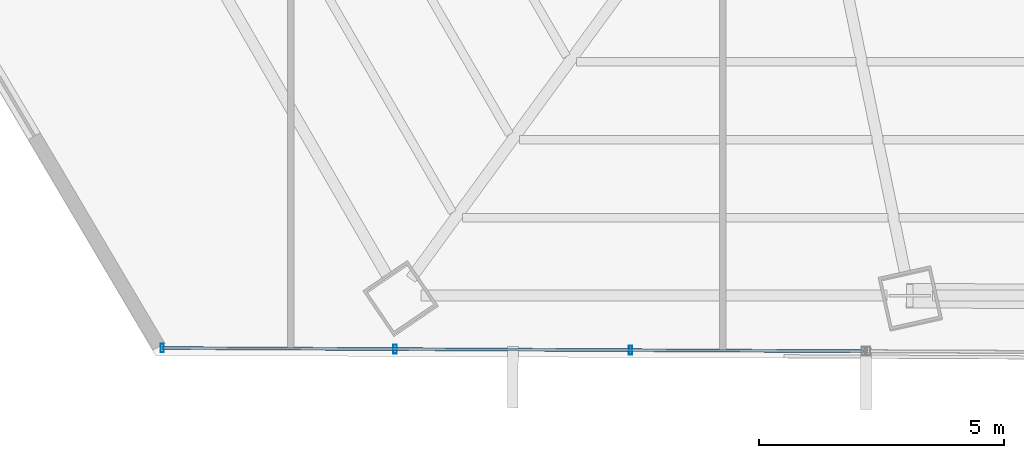
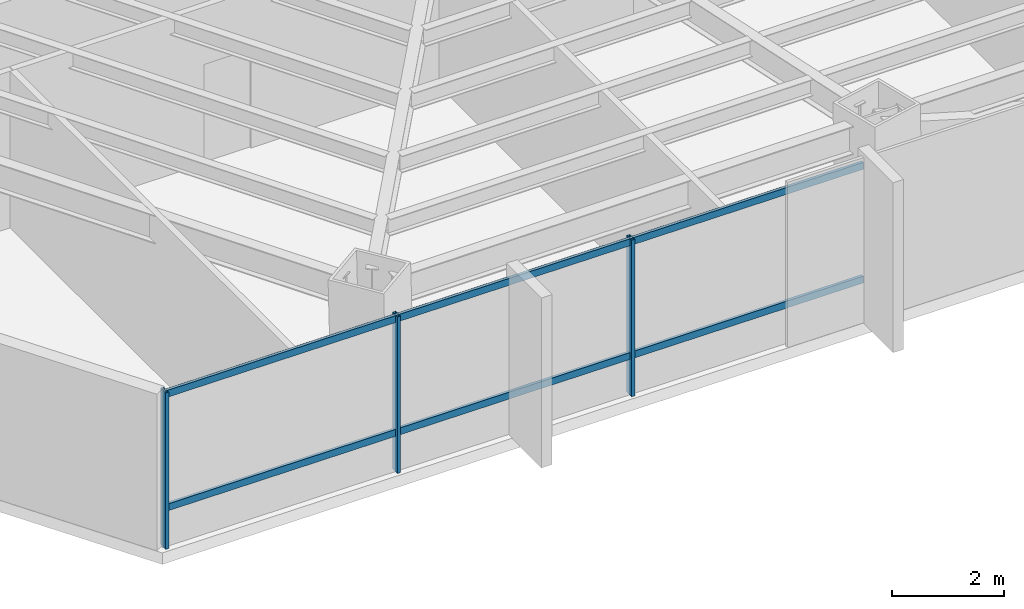
# One storey, part 4 of 35: 5 members, 1 element without a shape of its own.
"""IFC4 building model written with IfcOpenShell, lengths in metres."""

from ifc_helpers import new_model, si_unit, direction, frame, origin, origin_2d, place, context, subcontext, project, spatial, hollow_rectangle, extrude, source, transform, mapped, material, material_profile, profile_set, type_object, type_shapes, element, aggregate, save


model = new_model("IFC4")

# Units and contexts
model_context = context("Model", 3, precision=1e-05, world=origin(), true_north=direction((0.0, 1.0)))
body_context = subcontext(model_context, "Body", "Model", "MODEL_VIEW")
ifc_project = project(units=[si_unit("LENGTHUNIT", "METRE"), si_unit("AREAUNIT", "SQUARE_METRE"), si_unit("VOLUMEUNIT", "CUBIC_METRE"), si_unit("PLANEANGLEUNIT", "RADIAN"), si_unit("MASSUNIT", "GRAM", prefix="KILO")], contexts=[model_context])

# Site, building, storey
site_placement = place(None, origin())
site = spatial("IfcSite", under=ifc_project, at=site_placement, CompositionType="ELEMENT")
building_placement = place(site_placement, origin())
building = spatial("IfcBuilding", under=site, at=building_placement, Name="Caelisora Broadcast Tower", CompositionType="ELEMENT")
storey_placement = place(building_placement, frame((0.0, 0.0, 98.10009765625)))
storey = spatial("IfcBuildingStorey", under=building, at=storey_placement, Name="L25", CompositionType="ELEMENT", Elevation=98.10009765625)

# Curtain wall, members
ifc_material_1 = material(Name="Unitised Aluminium and Low-E Glass Curtain Wall", Category="glass")
curtain_wall_type = type_object("IfcCurtainWallType", Name="CW-Z2", PredefinedType="NOTDEFINED", material=ifc_material_1)
curtain_wall_placement = place(storey_placement, origin())
curtain_wall = element("IfcCurtainWall", 1, at=curtain_wall_placement, inside=storey, type_object=curtain_wall_type, Name="L25 curtain wall CW-Z2", PredefinedType="NOTDEFINED")
ifc_material_2 = material(Name="Aluminium 6063-T6 Anodised Terracotta Bronze", Category="aluminium")
ifc_material_profile_1 = material_profile(ifc_material_2, hollow_rectangle(XDim=0.06494140625, YDim=0.179931640625, WallThickness=0.00341796875, at=origin_2d()), Name="Aluminium 6063-T6 Anodised Terracotta Bronze")
ifc_profile_set_1 = profile_set([ifc_material_profile_1], Name="Aluminium 6063-T6 Anodised Terracotta Bronze")
member_type_1 = type_object("IfcMemberType", Name="CWM-02", PredefinedType="MULLION", material=ifc_profile_set_1)
shared_shape_1 = source(origin(), body_context, "Body", "SweptSolid", [
    extrude(hollow_rectangle(XDim=0.06494140625, YDim=0.179931640625, WallThickness=0.00341796875, at=origin_2d()), origin(), (0.0, 0.0, 1.0), 3.39990234375),
])
type_shapes(member_type_1, [shared_shape_1])
member_1_placement = place(storey_placement, frame((27.096435546875, 5.1552734375, 0.0), z_axis=(0.0, 0.0, 1.0), x_axis=(1.0, 0.0, 0.0)))
member_1 = element("IfcMember", 2, at=member_1_placement, type_object=member_type_1, Name="L25-CW-B07 mullion #1", PredefinedType="MULLION", context=body_context, shape_type="MappedRepresentation", body=[
    mapped(shared_shape_1, transform((0.0, 0.0, 0.0), scale=1.0)),
])
member_2_placement = place(storey_placement, frame((22.296630859375, 5.177001953125, 0.0), z_axis=(0.0, 0.0, 1.0), x_axis=(1.0, 0.0, 0.0)))
member_2 = element("IfcMember", 3, at=member_2_placement, type_object=member_type_1, Name="L25-CW-B07 mullion #2", PredefinedType="MULLION", context=body_context, shape_type="MappedRepresentation", body=[
    mapped(shared_shape_1, transform((0.0, 0.0, 0.0), scale=1.0)),
])
member_3_placement = place(storey_placement, frame((17.547119140625, 5.19873046875, 0.0), z_axis=(0.0, 0.0, 1.0), x_axis=(1.0, 0.0, 0.0)))
member_3 = element("IfcMember", 4, at=member_3_placement, type_object=member_type_1, Name="L25-CW-B07 mullion #3", PredefinedType="MULLION", context=body_context, shape_type="MappedRepresentation", body=[
    mapped(shared_shape_1, transform((0.0, 0.0, 0.0), scale=1.0)),
])
ifc_material_profile_2 = material_profile(ifc_material_2, hollow_rectangle(XDim=0.06005859375, YDim=0.14990234375, WallThickness=0.00341796875, at=origin_2d()), Name="Aluminium 6063-T6 Anodised Terracotta Bronze")
ifc_profile_set_2 = profile_set([ifc_material_profile_2], Name="Aluminium 6063-T6 Anodised Terracotta Bronze")
member_type_2 = type_object("IfcMemberType", Name="CWT-02", PredefinedType="USERDEFINED", material=ifc_profile_set_2)
shared_shape_2 = source(origin(), body_context, "Body", "SweptSolid", [
    extrude(hollow_rectangle(XDim=0.06005859375, YDim=0.14990234375, WallThickness=0.00341796875, at=origin_2d()), origin(), (0.0, 0.0, 1.0), 14.29931640625),
])
type_shapes(member_type_2, [shared_shape_2])
member_4_placement = place(storey_placement, frame((31.84619140625, 5.133544921875, 0.849853515625), z_axis=(-0.999989609172, 0.004558678237, 0.0), x_axis=(-0.004558678237, -0.999989609172, 0.0)))
member_4 = element("IfcMember", 5, at=member_4_placement, type_object=member_type_2, Name="L25-CW-B07 transom #1", ObjectType="TRANSOM", PredefinedType="USERDEFINED", context=body_context, shape_type="MappedRepresentation", body=[
    mapped(shared_shape_2, transform((0.0, 0.0, 0.0), scale=1.0)),
])
member_5_placement = place(storey_placement, frame((31.84619140625, 5.133544921875, 3.31982421875), z_axis=(-0.999989609172, 0.004558678237, 0.0), x_axis=(-0.004558678237, -0.999989609172, 0.0)))
member_5 = element("IfcMember", 6, at=member_5_placement, type_object=member_type_2, Name="L25-CW-B07 transom #2", ObjectType="TRANSOM", PredefinedType="USERDEFINED", context=body_context, shape_type="MappedRepresentation", body=[
    mapped(shared_shape_2, transform((0.0, 0.0, 0.0), scale=1.0)),
])
aggregate(curtain_wall, [member_1, member_2, member_3, member_4, member_5])

save(model, "model.ifc")
